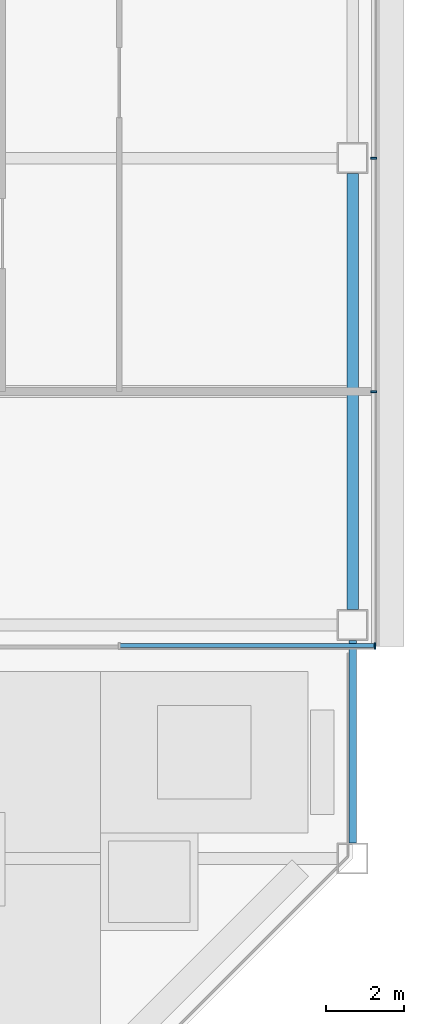
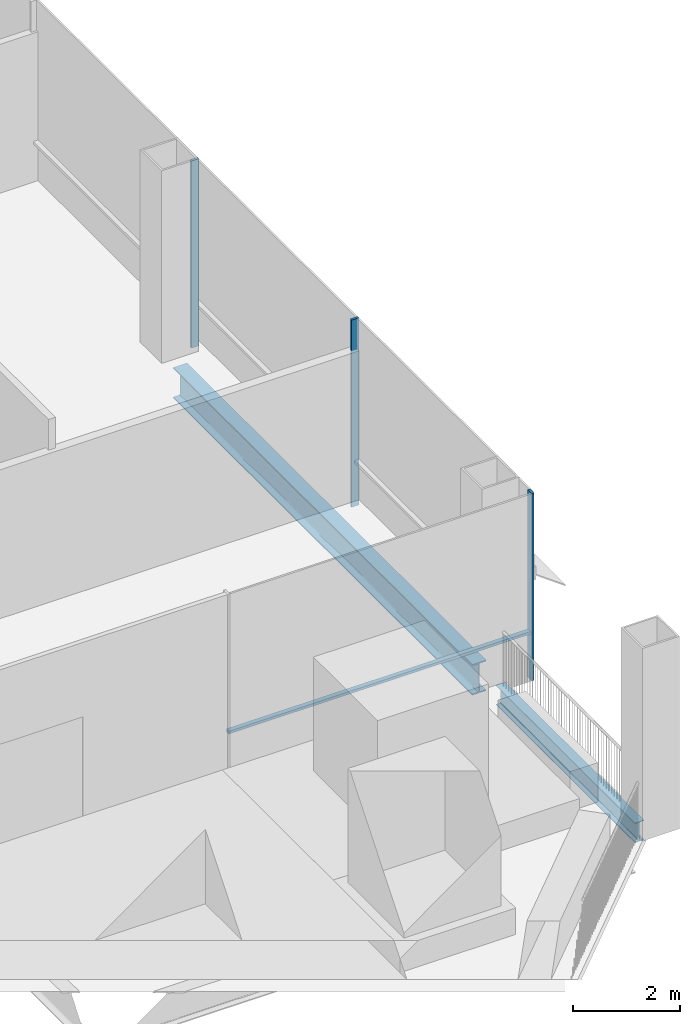
# One storey, part 15 of 28: 4 members, 2 beams, 2 elements without a shape of their own.
"""IFC4 building model written with IfcOpenShell, lengths in metres."""

from ifc_helpers import new_model, si_unit, direction, frame, origin, origin_2d, place, context, subcontext, project, spatial, rectangle, i_section, extrude, material, material_profile, profile_set, type_object, element, aggregate, save


model = new_model("IFC4")

# Units and contexts
model_context = context("Model", 3, precision=1e-05, world=origin(), true_north=direction((0.0, 1.0)))
body_context = subcontext(model_context, "Body", "Model", "MODEL_VIEW")
ifc_project = project(units=[si_unit("LENGTHUNIT", "METRE"), si_unit("AREAUNIT", "SQUARE_METRE"), si_unit("VOLUMEUNIT", "CUBIC_METRE"), si_unit("PLANEANGLEUNIT", "RADIAN"), si_unit("MASSUNIT", "GRAM", prefix="KILO")], contexts=[model_context])

# Site, building, storey
site_placement = place(None, origin())
site = spatial("IfcSite", under=ifc_project, at=site_placement, CompositionType="ELEMENT")
building_placement = place(site_placement, origin())
building = spatial("IfcBuilding", under=site, at=building_placement, Name="Sorahane Residences", CompositionType="ELEMENT")
storey_placement = place(building_placement, frame((0.0, 0.0, 134.0)))
storey = spatial("IfcBuildingStorey", under=building, at=storey_placement, Name="L30", CompositionType="ELEMENT", Elevation=134.0)

# Curtain wall, member
ifc_material_1 = material(Name="Dark low-e glass and black anodised aluminium", Category="aluminium")
curtain_wall_type = type_object("IfcCurtainWallType", Name="Curtain wall CW-1 Typical unitised wall", PredefinedType="NOTDEFINED", material=ifc_material_1)
curtain_wall_1_placement = place(storey_placement, origin())
curtain_wall_1 = element("IfcCurtainWall", 1, at=curtain_wall_1_placement, inside=storey, type_object=curtain_wall_type, Name="CW-1 curtain wall L30 S2", PredefinedType="NOTDEFINED")
ifc_material_2 = material(Name="Black anodised aluminium", Category="aluminium")
ifc_material_profile_1 = material_profile(ifc_material_2, rectangle(XDim=0.159912109375, YDim=0.050048828125, at=origin_2d()), Name="Curtain wall mullion CW-1 black anodised aluminium 50x160")
ifc_profile_set_1 = profile_set([ifc_material_profile_1], Name="Black anodised aluminium")
member_type_1 = type_object("IfcMemberType", Name="Curtain wall mullion CW-1 black anodised aluminium 50x160", PredefinedType="MULLION", material=ifc_profile_set_1)
member_1_placement = place(storey_placement, frame((60.574951171875, 11.4599609375, -0.179931640625), z_axis=(0.0, 0.0, 1.0), x_axis=(0.0, -1.0, 0.0)))
member_1 = element("IfcMember", 2, at=member_1_placement, type_object=member_type_1, Name="CW-1 mullion L30 S2.4", PredefinedType="MULLION", context=body_context, shape_type="SweptSolid", body=[
    extrude(rectangle(XDim=0.159912109375, YDim=0.050048828125, at=origin_2d()), origin(), (0.0, 0.0, 1.0), 4.280029296875),
])

# Curtain wall, members
curtain_wall_2_placement = place(storey_placement, origin())
curtain_wall_2 = element("IfcCurtainWall", 3, at=curtain_wall_2_placement, inside=storey, type_object=curtain_wall_type, Name="CW-1 curtain wall L30 E2", PredefinedType="NOTDEFINED")
member_2_placement = place(storey_placement, frame((60.5400390625, 18.0, -0.179931640625), z_axis=(0.0, 0.0, 1.0), x_axis=(1.0, 0.0, 0.0)))
member_2 = element("IfcMember", 4, at=member_2_placement, type_object=member_type_1, Name="CW-1 mullion L30 E2.2", PredefinedType="MULLION", context=body_context, shape_type="SweptSolid", body=[
    extrude(rectangle(XDim=0.159912109375, YDim=0.050048828125, at=origin_2d()), origin(), (0.0, 0.0, 1.0), 4.280029296875),
])
member_3_placement = place(storey_placement, frame((60.5400390625, 24.0, -0.179931640625), z_axis=(0.0, 0.0, 1.0), x_axis=(1.0, 0.0, 0.0)))
member_3 = element("IfcMember", 5, at=member_3_placement, type_object=member_type_1, Name="CW-1 mullion L30 E2.3", PredefinedType="MULLION", context=body_context, shape_type="SweptSolid", body=[
    extrude(rectangle(XDim=0.159912109375, YDim=0.050048828125, at=origin_2d()), origin(), (0.0, 0.0, 1.0), 4.280029296875),
])
aggregate(curtain_wall_2, [member_2, member_3])

# Member
ifc_material_3 = material(Name="Black anodised aluminium", Category="aluminium")
ifc_material_profile_2 = material_profile(ifc_material_3, rectangle(XDim=0.10009765625, YDim=0.06005859375, at=origin_2d()), Name="Curtain wall transom CW-1 black anodised aluminium 60x100")
ifc_profile_set_2 = profile_set([ifc_material_profile_2], Name="Black anodised aluminium")
member_type_2 = type_object("IfcMemberType", Name="Curtain wall transom CW-1 black anodised aluminium 60x100", PredefinedType="USERDEFINED", material=ifc_profile_set_2)
member_4_placement = place(storey_placement, frame((54.02490234375, 11.469970703125, 0.89990234375), z_axis=(1.0, 0.0, 0.0), x_axis=(0.0, 1.0, 0.0)))
member_4 = element("IfcMember", 6, at=member_4_placement, type_object=member_type_2, Name="CW-1 transom L30 S2.2", ObjectType="TRANSOM", PredefinedType="USERDEFINED", context=body_context, shape_type="SweptSolid", body=[
    extrude(rectangle(XDim=0.10009765625, YDim=0.06005859375, at=origin_2d()), origin(), (0.0, 0.0, 1.0), 6.525146484375),
])

aggregate(curtain_wall_1, [member_1, member_4])

# Beams
ifc_material_4 = material(Name="Steel Q355B", Category="steel")
ifc_material_profile_3 = material_profile(ifc_material_4, i_section(OverallWidth=0.199951171875, OverallDepth=0.449951171875, WebThickness=0.009033203125, FlangeThickness=0.013916015625, FilletRadius=0.02001953125, at=origin_2d()), Name="HN 450x200x9x14")
ifc_profile_set_3 = profile_set([ifc_material_profile_3], Name="Steel Q355B")
beam_type_1 = type_object("IfcBeamType", Name="Steel floor beam HN 450x200x9x14 Q355B", PredefinedType="BEAM", material=ifc_profile_set_3)
beam_1_placement = place(storey_placement, frame((60.0, 6.39990234375, -0.405029296875), z_axis=(0.0, 1.0, 0.0), x_axis=(-1.0, 0.0, 0.0)))
element("IfcBeam", 7, at=beam_1_placement, inside=storey, type_object=beam_type_1, Name="Beam L30 063", PredefinedType="BEAM", context=body_context, shape_type="SweptSolid", body=[
    extrude(i_section(OverallWidth=0.199951171875, OverallDepth=0.449951171875, WebThickness=0.009033203125, FlangeThickness=0.013916015625, FilletRadius=0.02001953125, at=origin_2d()), origin(), (0.0, 0.0, 1.0), 5.2001953125),
])
ifc_material_5 = material(Name="Steel Q355B", Category="steel")
ifc_material_profile_4 = material_profile(ifc_material_5, i_section(OverallWidth=0.300048828125, OverallDepth=0.699951171875, WebThickness=0.012939453125, FlangeThickness=0.02392578125, FilletRadius=0.028076171875, at=origin_2d()), Name="HN 700x300x13x24")
ifc_profile_set_4 = profile_set([ifc_material_profile_4], Name="Steel Q355B")
beam_type_2 = type_object("IfcBeamType", Name="Steel floor beam HN 700x300x13x24 Q355B", PredefinedType="BEAM", material=ifc_profile_set_4)
beam_2_placement = place(storey_placement, frame((60.0, 12.39990234375, -0.530029296875), z_axis=(0.0, 1.0, 0.0), x_axis=(-1.0, 0.0, 0.0)))
element("IfcBeam", 8, at=beam_2_placement, inside=storey, type_object=beam_type_2, Name="Beam L30 064", PredefinedType="BEAM", context=body_context, shape_type="SweptSolid", body=[
    extrude(i_section(OverallWidth=0.300048828125, OverallDepth=0.699951171875, WebThickness=0.012939453125, FlangeThickness=0.02392578125, FilletRadius=0.028076171875, at=origin_2d()), origin(), (0.0, 0.0, 1.0), 11.2001953125),
])

save(model, "model.ifc")
